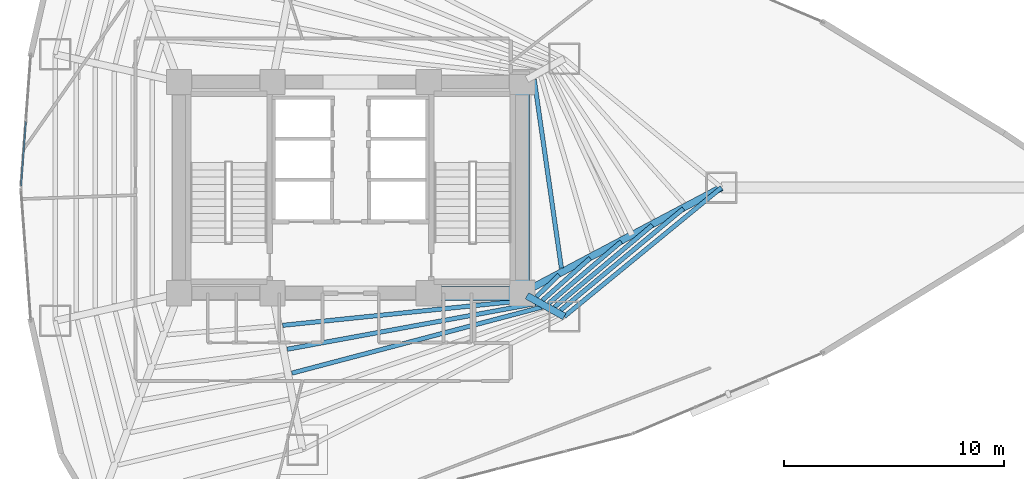
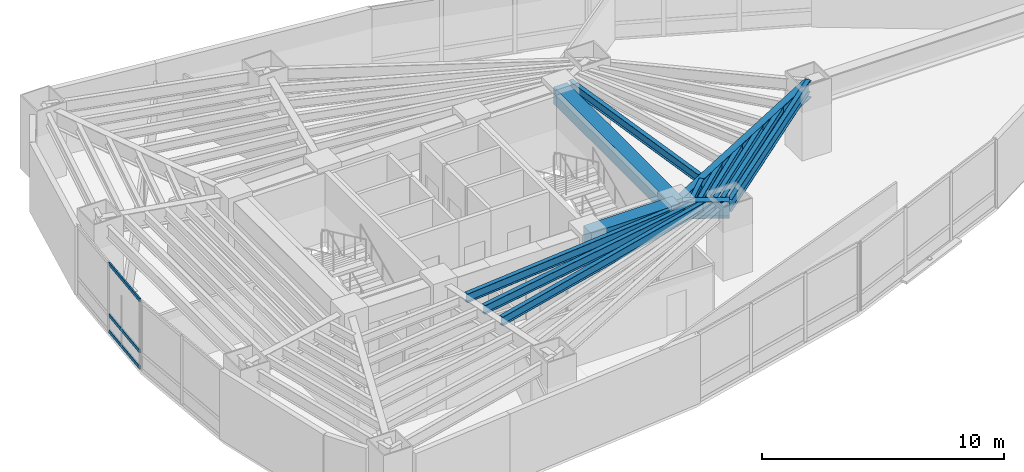
# One storey, part 7 of 20: 14 beams, 3 members, 1 element without a shape of its own.
"""IFC4 building model written with IfcOpenShell, lengths in metres."""

from ifc_helpers import new_model, si_unit, direction, frame, origin, origin_2d, place, context, subcontext, project, spatial, rectangle, hollow_rectangle, i_section, extrude, material, layer, layer_set, material_profile, profile_set, type_object, element, aggregate, save


model = new_model("IFC4")

# Units and contexts
model_context = context("Model", 3, precision=1e-05, world=origin(), true_north=direction((0.0, 1.0)))
body_context = subcontext(model_context, "Body", "Model", "MODEL_VIEW")
ifc_project = project(units=[si_unit("LENGTHUNIT", "METRE"), si_unit("AREAUNIT", "SQUARE_METRE"), si_unit("VOLUMEUNIT", "CUBIC_METRE"), si_unit("PLANEANGLEUNIT", "RADIAN"), si_unit("MASSUNIT", "GRAM", prefix="KILO")], contexts=[model_context])

# Site, building, storey
site_placement = place(None, origin())
site = spatial("IfcSite", under=ifc_project, at=site_placement, CompositionType="ELEMENT")
building_placement = place(site_placement, origin())
building = spatial("IfcBuilding", under=site, at=building_placement, Name="Menara Vayukalpa", CompositionType="ELEMENT")
storey_placement = place(building_placement, frame((0.0, 0.0, 61.080078125)))
storey = spatial("IfcBuildingStorey", under=building, at=storey_placement, Name="L14", CompositionType="ELEMENT", Elevation=61.080078125)

# Beams
ifc_material_1 = material(Name="Concrete C60/75", Category="concrete")
ifc_material_profile_1 = material_profile(ifc_material_1, rectangle(XDim=0.64990234375, YDim=0.85009765625, at=origin_2d()), Name="RC 650x850")
ifc_profile_set_1 = profile_set([ifc_material_profile_1], Name="Concrete C60/75")
beam_type_1 = type_object("IfcBeamType", Name="BM-CB1", PredefinedType="BEAM", material=ifc_profile_set_1)
beam_1_placement = place(storey_placement, frame((29.14990234375, 17.199951171875, 3.044921875), z_axis=(1.0, 0.0, 0.0), x_axis=(0.0, 1.0, 0.0)))
element("IfcBeam", 1, at=beam_1_placement, inside=storey, type_object=beam_type_1, Name="L14 Core Tie Beam CBR3", PredefinedType="BEAM", context=body_context, shape_type="SweptSolid", body=[
    extrude(rectangle(XDim=0.64990234375, YDim=0.85009765625, at=origin_2d()), origin(), (0.0, 0.0, 1.0), 4.25),
])
beam_2_placement = place(storey_placement, frame((33.39990234375, 17.199951171875, 3.044921875), z_axis=(0.0, 1.0, 0.0), x_axis=(-1.0, 0.0, 0.0)))
element("IfcBeam", 2, at=beam_2_placement, inside=storey, type_object=beam_type_1, Name="L14 Core Tie Beam CBR8", PredefinedType="BEAM", context=body_context, shape_type="SweptSolid", body=[
    extrude(rectangle(XDim=0.64990234375, YDim=0.85009765625, at=origin_2d()), origin(), (0.0, 0.0, 1.0), 9.60009765625),
])
ifc_material_2 = material(Name="Steel S355", Category="steel")
ifc_material_profile_2 = material_profile(ifc_material_2, i_section(OverallWidth=0.320068359375, OverallDepth=0.85009765625, WebThickness=0.01611328125, FlangeThickness=0.030029296875, at=origin_2d()), Name="WF 850x320x16x30")
ifc_profile_set_2 = profile_set([ifc_material_profile_2], Name="Steel S355")
beam_type_2 = type_object("IfcBeamType", Name="BM-PG2", PredefinedType="BEAM", material=ifc_profile_set_2)
beam_3_placement = place(storey_placement, frame((33.620849609375, 17.31689453125, 3.044921875), z_axis=(0.883746967157, 0.467965060704, 0.0), x_axis=(-0.467965060704, 0.883746967157, 0.0)))
element("IfcBeam", 3, at=beam_3_placement, inside=storey, type_object=beam_type_2, Name="L14 Primary Radial Girder RG01", PredefinedType="BEAM", context=body_context, shape_type="SweptSolid", body=[
    extrude(i_section(OverallWidth=0.320068359375, OverallDepth=0.85009765625, WebThickness=0.01611328125, FlangeThickness=0.030029296875, at=origin_2d()), origin(), (0.0, 0.0, 1.0), 10.00732421875),
])
beam_4_placement = place(storey_placement, frame((33.61865234375, 17.078857421875, 3.044921875), z_axis=(0.87459548214, -0.484853320727, 0.0), x_axis=(0.484853320727, 0.87459548214, 0.0)))
element("IfcBeam", 4, at=beam_4_placement, inside=storey, type_object=beam_type_2, Name="L14 Primary Radial Girder RG09", PredefinedType="BEAM", context=body_context, shape_type="SweptSolid", body=[
    extrude(i_section(OverallWidth=0.320068359375, OverallDepth=0.85009765625, WebThickness=0.01611328125, FlangeThickness=0.030029296875, at=origin_2d()), origin(), (0.0, 0.0, 1.0), 1.943115234375),
])
ifc_material_3 = material(Name="Steel S355", Category="steel")
ifc_material_profile_3 = material_profile(ifc_material_3, i_section(OverallWidth=0.199951171875, OverallDepth=0.449951171875, WebThickness=0.009033203125, FlangeThickness=0.013916015625, at=origin_2d()), Name="WF 450x200x9x14")
ifc_profile_set_3 = profile_set([ifc_material_profile_3], Name="Steel S355")
beam_type_3 = type_object("IfcBeamType", Name="BM-SJ1", PredefinedType="JOIST", material=ifc_profile_set_3)
beam_5_placement = place(storey_placement, frame((35.18701171875, 18.338134765625, 3.244873046875), z_axis=(-0.142766602183, 0.989756382804, 0.0), x_axis=(-0.989756382804, -0.142766602183, 0.0)))
element("IfcBeam", 5, at=beam_5_placement, inside=storey, type_object=beam_type_3, Name="L14 Secondary Floor Joist SJ01-1", PredefinedType="JOIST", context=body_context, shape_type="SweptSolid", body=[
    extrude(i_section(OverallWidth=0.199951171875, OverallDepth=0.449951171875, WebThickness=0.009033203125, FlangeThickness=0.013916015625, at=origin_2d()), origin(), (0.0, 0.0, 1.0), 8.6630859375),
])
beam_6_placement = place(storey_placement, frame((22.514404296875, 15.735107421875, 3.244873046875), z_axis=(0.994746828953, 0.102365747631, 0.0), x_axis=(-0.102365747631, 0.994746828953, 0.0)))
element("IfcBeam", 6, at=beam_6_placement, inside=storey, type_object=beam_type_3, Name="L14 Secondary Floor Joist SJ08-1", PredefinedType="JOIST", context=body_context, shape_type="SweptSolid", body=[
    extrude(i_section(OverallWidth=0.199951171875, OverallDepth=0.449951171875, WebThickness=0.009033203125, FlangeThickness=0.013916015625, at=origin_2d()), origin(), (0.0, 0.0, 1.0), 11.29052734375),
])
beam_7_placement = place(storey_placement, frame((22.723876953125, 14.648681640625, 3.244873046875), z_axis=(0.983504975359, 0.180881075419, 0.0), x_axis=(-0.180881075419, 0.983504975359, 0.0)))
element("IfcBeam", 7, at=beam_7_placement, inside=storey, type_object=beam_type_3, Name="L14 Secondary Floor Joist SJ08-2", PredefinedType="JOIST", context=body_context, shape_type="SweptSolid", body=[
    extrude(i_section(OverallWidth=0.199951171875, OverallDepth=0.449951171875, WebThickness=0.009033203125, FlangeThickness=0.013916015625, at=origin_2d()), origin(), (0.0, 0.0, 1.0), 11.48486328125),
])
beam_8_placement = place(storey_placement, frame((22.932373046875, 13.561767578125, 3.244873046875), z_axis=(0.966863757537, 0.255292918746, 0.0), x_axis=(-0.255292918746, 0.966863757537, 0.0)))
element("IfcBeam", 8, at=beam_8_placement, inside=storey, type_object=beam_type_3, Name="L14 Secondary Floor Joist SJ08-3", PredefinedType="JOIST", context=body_context, shape_type="SweptSolid", body=[
    extrude(i_section(OverallWidth=0.199951171875, OverallDepth=0.449951171875, WebThickness=0.009033203125, FlangeThickness=0.013916015625, at=origin_2d()), origin(), (0.0, 0.0, 1.0), 11.751220703125),
])
beam_9_placement = place(storey_placement, frame((34.0537109375, 17.03466796875, 3.244873046875), z_axis=(0.717488193219, 0.696570665899, 0.0), x_axis=(-0.696570665899, 0.717488193219, 0.0)))
element("IfcBeam", 9, at=beam_9_placement, inside=storey, type_object=beam_type_3, Name="L14 Secondary Floor Joist SJ09-1", PredefinedType="JOIST", context=body_context, shape_type="SweptSolid", body=[
    extrude(i_section(OverallWidth=0.199951171875, OverallDepth=0.449951171875, WebThickness=0.009033203125, FlangeThickness=0.013916015625, at=origin_2d()), origin(), (0.0, 0.0, 1.0), 1.435546875),
])
beam_10_placement = place(storey_placement, frame((34.331298828125, 16.877685546875, 3.244873046875), z_axis=(0.748970728252, 0.662603084978, 0.0), x_axis=(-0.662603084978, 0.748970728252, 0.0)))
element("IfcBeam", 10, at=beam_10_placement, inside=storey, type_object=beam_type_3, Name="L14 Secondary Floor Joist SJ09-2", PredefinedType="JOIST", context=body_context, shape_type="SweptSolid", body=[
    extrude(i_section(OverallWidth=0.199951171875, OverallDepth=0.449951171875, WebThickness=0.009033203125, FlangeThickness=0.013916015625, at=origin_2d()), origin(), (0.0, 0.0, 1.0), 2.88623046875),
])
beam_11_placement = place(storey_placement, frame((34.605224609375, 16.724609375, 3.244873046875), z_axis=(0.760660716004, 0.649149655418, 0.0), x_axis=(-0.649149655418, 0.760660716004, 0.0)))
element("IfcBeam", 11, at=beam_11_placement, inside=storey, type_object=beam_type_3, Name="L14 Secondary Floor Joist SJ09-3", PredefinedType="JOIST", context=body_context, shape_type="SweptSolid", body=[
    extrude(i_section(OverallWidth=0.199951171875, OverallDepth=0.449951171875, WebThickness=0.009033203125, FlangeThickness=0.013916015625, at=origin_2d()), origin(), (0.0, 0.0, 1.0), 4.33935546875),
])
beam_12_placement = place(storey_placement, frame((34.878173828125, 16.572509765625, 3.244873046875), z_axis=(0.766661190174, 0.642051882235, 0.0), x_axis=(-0.642051882235, 0.766661190174, 0.0)))
element("IfcBeam", 12, at=beam_12_placement, inside=storey, type_object=beam_type_3, Name="L14 Secondary Floor Joist SJ09-4", PredefinedType="JOIST", context=body_context, shape_type="SweptSolid", body=[
    extrude(i_section(OverallWidth=0.199951171875, OverallDepth=0.449951171875, WebThickness=0.009033203125, FlangeThickness=0.013916015625, at=origin_2d()), origin(), (0.0, 0.0, 1.0), 5.79345703125),
])
beam_13_placement = place(storey_placement, frame((35.15087890625, 16.421142578125, 3.244873046875), z_axis=(0.770362369683, 0.637606320056, 0.0), x_axis=(-0.637606320056, 0.770362369683, 0.0)))
element("IfcBeam", 13, at=beam_13_placement, inside=storey, type_object=beam_type_3, Name="L14 Secondary Floor Joist SJ09-5", PredefinedType="JOIST", context=body_context, shape_type="SweptSolid", body=[
    extrude(i_section(OverallWidth=0.199951171875, OverallDepth=0.449951171875, WebThickness=0.009033203125, FlangeThickness=0.013916015625, at=origin_2d()), origin(), (0.0, 0.0, 1.0), 7.24755859375),
])
ifc_material_4 = material(Name="Steel S355", Category="steel")
ifc_material_profile_4 = material_profile(ifc_material_4, i_section(OverallWidth=0.199951171875, OverallDepth=0.60009765625, WebThickness=0.010986328125, FlangeThickness=0.01708984375, at=origin_2d()), Name="WF 600x200x11x17")
ifc_profile_set_4 = profile_set([ifc_material_profile_4], Name="Steel S355")
beam_type_4 = type_object("IfcBeamType", Name="BM-SP1", PredefinedType="SPANDREL", material=ifc_profile_set_4)
beam_14_placement = place(storey_placement, frame((35.318115234375, 16.13671875, 3.169921875), z_axis=(0.773110561587, 0.63427128231, 0.0), x_axis=(-0.63427128231, 0.773110561587, 0.0)))
element("IfcBeam", 14, at=beam_14_placement, inside=storey, type_object=beam_type_4, Name="L14 Perimeter Spandrel Beam SP09", PredefinedType="SPANDREL", context=body_context, shape_type="SweptSolid", body=[
    extrude(i_section(OverallWidth=0.199951171875, OverallDepth=0.60009765625, WebThickness=0.010986328125, FlangeThickness=0.01708984375, at=origin_2d()), origin(), (0.0, 0.0, 1.0), 9.244140625),
])

# Curtain wall, members
ifc_material_5 = material(Name="Anodised Terracotta Aluminium Alloy 6063-T6", Category="masonry")
ifc_layer = layer(ifc_material_5, 0.179931640625)
ifc_layer_set = layer_set([ifc_layer], Name="Anodised Terracotta Aluminium Alloy 6063-T6")
curtain_wall_type = type_object("IfcCurtainWallType", Name="CW-CW4", PredefinedType="USERDEFINED", material=ifc_layer_set)
curtain_wall_placement = place(storey_placement, origin())
curtain_wall = element("IfcCurtainWall", 15, at=curtain_wall_placement, inside=storey, type_object=curtain_wall_type, Name="L14 Sky Bar Cantilever Glazed Curtain Wall CW4 10", ObjectType="UNITISED", PredefinedType="USERDEFINED")
ifc_material_6 = material(Name="Anodised Terracotta Aluminium Alloy 6063-T6", Category="masonry")
ifc_material_profile_5 = material_profile(ifc_material_6, hollow_rectangle(XDim=0.070068359375, YDim=0.1650390625, WallThickness=0.00390625, at=origin_2d()), Name="ALU 70x165x4")
ifc_profile_set_5 = profile_set([ifc_material_profile_5], Name="Anodised Terracotta Aluminium Alloy 6063-T6")
member_type = type_object("IfcMemberType", Name="CWT-CW4", PredefinedType="USERDEFINED", material=ifc_profile_set_5)
member_1_placement = place(storey_placement, frame((10.834228515625, 24.992431640625, 0.034912109375), z_axis=(-0.074845955291, -0.997195107778, 0.0), x_axis=(0.997195107778, -0.074845955291, 0.0)))
member_1 = element("IfcMember", 16, at=member_1_placement, type_object=member_type, Name="CW4 transom 2.1", ObjectType="TRANSOM", PredefinedType="USERDEFINED", context=body_context, shape_type="SweptSolid", body=[
    extrude(hollow_rectangle(XDim=0.070068359375, YDim=0.1650390625, WallThickness=0.00390625, at=origin_2d()), origin(), (0.0, 0.0, 1.0), 2.926025390625),
])
member_2_placement = place(storey_placement, frame((10.834228515625, 24.992431640625, 0.849853515625), z_axis=(-0.074845955291, -0.997195107778, 0.0), x_axis=(0.997195107778, -0.074845955291, 0.0)))
member_2 = element("IfcMember", 17, at=member_2_placement, type_object=member_type, Name="CW4 transom 2.2", ObjectType="TRANSOM", PredefinedType="USERDEFINED", context=body_context, shape_type="SweptSolid", body=[
    extrude(hollow_rectangle(XDim=0.070068359375, YDim=0.1650390625, WallThickness=0.00390625, at=origin_2d()), origin(), (0.0, 0.0, 1.0), 2.926025390625),
])
member_3_placement = place(storey_placement, frame((10.834228515625, 24.992431640625, 3.434814453125), z_axis=(-0.074845955291, -0.997195107778, 0.0), x_axis=(0.997195107778, -0.074845955291, 0.0)))
member_3 = element("IfcMember", 18, at=member_3_placement, type_object=member_type, Name="CW4 transom 2.3", ObjectType="TRANSOM", PredefinedType="USERDEFINED", context=body_context, shape_type="SweptSolid", body=[
    extrude(hollow_rectangle(XDim=0.070068359375, YDim=0.1650390625, WallThickness=0.00390625, at=origin_2d()), origin(), (0.0, 0.0, 1.0), 2.926025390625),
])
aggregate(curtain_wall, [member_1, member_2, member_3])

save(model, "model.ifc")
